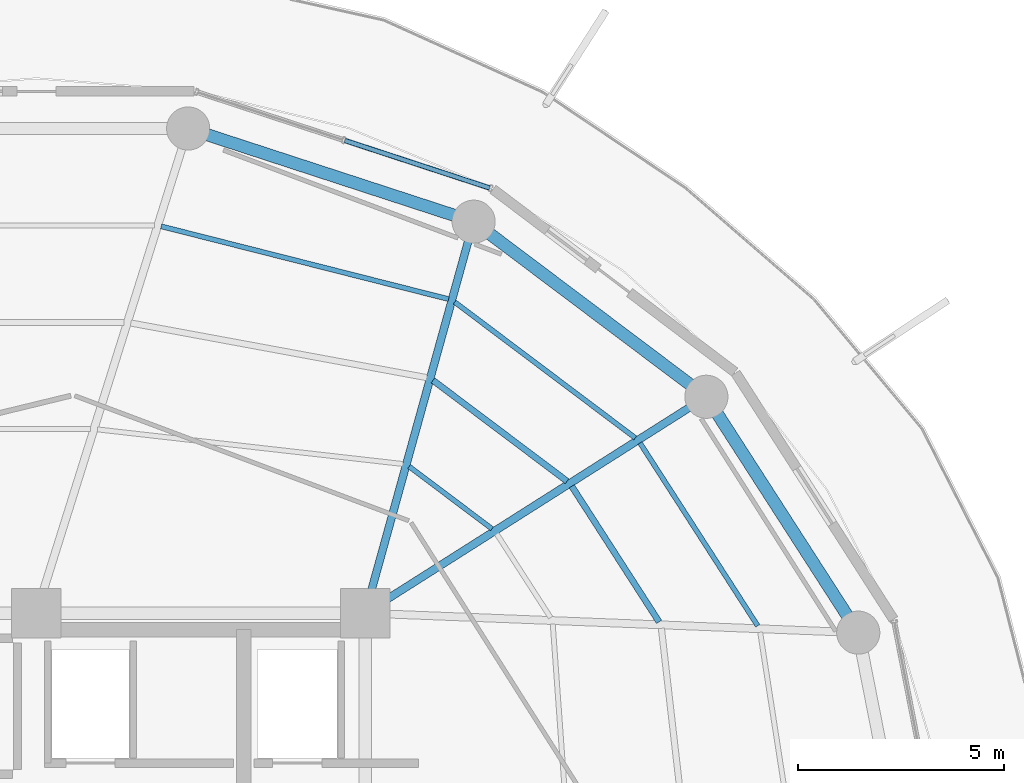
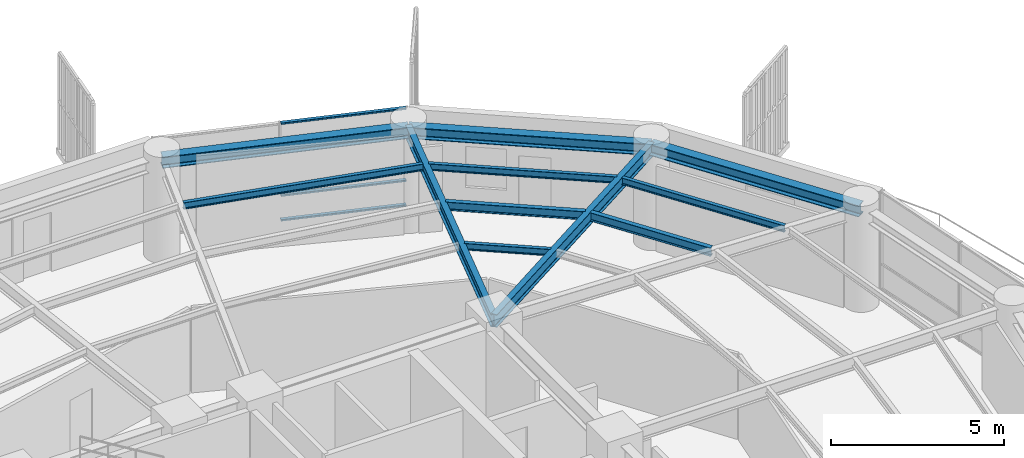
# One storey, part 20 of 30: 11 beams, 3 members, 1 element without a shape of its own.
"""IFC4 building model written with IfcOpenShell, lengths in metres."""

import ifcopenshell
import ifcopenshell.guid

model = None  # the IFC model being written
_history = None  # IfcOwnerHistory: only IFC2X3 demands one
_inside = {}  # id of a spatial element -> (the spatial element, [elements in it])
_under = {}  # id of a project, library or spatial element -> (it, [spatial elements below it])
_declared = {}  # id of a project -> (the project, [libraries it declares])
_typed = {}  # id of a type object -> (the type object, [elements of that type])
_made_of = {}  # id of a material, layer set ... -> (it, [elements and type objects made of it])


def new_model(schema):
    """Start an empty IFC model of exactly this schema.

    Asked for "IFC4X3", IfcOpenShell would pick the latest addendum, in which some entities
    have other attributes; the version numbers below select the first issue.
    IFC2X3 requires an IfcOwnerHistory on every rooted entity: one is made here for all.
    """
    global model, _history
    if schema == "IFC4X3":
        model = ifcopenshell.file(schema_version=(4, 3, 0, 0))
    else:
        model = ifcopenshell.file(schema=schema)
    _inside.clear()
    _under.clear()
    _declared.clear()
    _typed.clear()
    _made_of.clear()
    _history = None
    if model.schema == "IFC2X3":
        org = make("IfcOrganization", Name="unknown")
        user = make(
            "IfcPersonAndOrganization",
            ThePerson=make("IfcPerson", FamilyName="unknown"),
            TheOrganization=org,
        )
        app = make(
            "IfcApplication",
            ApplicationDeveloper=org,
            Version="unknown",
            ApplicationFullName="unknown",
            ApplicationIdentifier="unknown",
        )
        _history = make(
            "IfcOwnerHistory",
            OwningUser=user,
            OwningApplication=app,
            ChangeAction="ADDED",
            CreationDate=0,
        )
    return model


def make(cls, **values):
    """One entity of the class cls with the attributes given. An attribute that is None is left unset."""
    return model.create_entity(
        cls, **{name: value for name, value in values.items() if value is not None}
    )


def rooted(cls, **values):
    """An entity with a GlobalId (a new one), such as an element, a storey or a relation."""
    return make(cls, GlobalId=ifcopenshell.guid.new(), OwnerHistory=_history, **values)


def si_unit(unit_type, name, prefix=None):
    """IfcSIUnit, for example si_unit("LENGTHUNIT", "METRE", prefix="MILLI")."""
    return make("IfcSIUnit", UnitType=unit_type, Prefix=prefix, Name=name)


def assignment(units):
    """IfcUnitAssignment: the units of a project."""
    return None if units is None else make("IfcUnitAssignment", Units=units)


def point(xyz):
    """IfcCartesianPoint."""
    return None if xyz is None else make("IfcCartesianPoint", Coordinates=xyz)


def direction(xyz):
    """IfcDirection."""
    return None if xyz is None else make("IfcDirection", DirectionRatios=xyz)


def frame(location, z_axis=None, x_axis=None):
    """IfcAxis2Placement3D, a coordinate frame: its origin and axes. An axis left out is left unset."""
    return make(
        "IfcAxis2Placement3D",
        Location=point(location),
        Axis=direction(z_axis),
        RefDirection=direction(x_axis),
    )


def frame_2d(location, x_axis=None):
    """IfcAxis2Placement2D, a coordinate frame in the plane: its origin and x axis."""
    return make(
        "IfcAxis2Placement2D", Location=point(location), RefDirection=direction(x_axis)
    )


def origin():
    """The frame at (0, 0, 0) with its axes left unset."""
    return frame((0.0, 0.0, 0.0))


def origin_2d():
    """The frame at (0, 0) in the plane with its x axis left unset."""
    return frame_2d((0.0, 0.0))


def place(relative_to, where):
    """IfcLocalPlacement: puts the frame where relative to a parent placement (None: the world)."""
    return make(
        "IfcLocalPlacement", PlacementRelTo=relative_to, RelativePlacement=where
    )


def context(
    kind, dimensions, precision=None, world=None, true_north=None, identifier=None
):
    """IfcGeometricRepresentationContext, for example the 3D "Model" context."""
    return make(
        "IfcGeometricRepresentationContext",
        ContextIdentifier=identifier,
        ContextType=kind,
        CoordinateSpaceDimension=dimensions,
        Precision=precision,
        WorldCoordinateSystem=world,
        TrueNorth=true_north,
    )


def subcontext(parent, identifier, kind, view, scale=None):
    """IfcGeometricRepresentationSubContext, for example "Body" below "Model"."""
    return make(
        "IfcGeometricRepresentationSubContext",
        ContextIdentifier=identifier,
        ContextType=kind,
        ParentContext=parent,
        TargetScale=scale,
        TargetView=view,
    )


def project(units=None, contexts=None):
    """IfcProject with its units and contexts."""
    return rooted(
        "IfcProject",
        Name="project",
        RepresentationContexts=contexts,
        UnitsInContext=assignment(units),
    )


def spatial(cls, under=None, at=None, **own):
    """A site, building, storey or space (cls), placed at a placement, below another one or the project."""
    s = rooted(cls, ObjectPlacement=at, **own)
    if under is not None:
        _under.setdefault(under.id(), (under, []))[1].append(s)
    return s


def profile(cls, at=None, kind="AREA", **sizes):
    """A parametric profile (cls). Its sizes go by their IFC names, for example OverallWidth=200.0."""
    return make(cls, ProfileType=kind, Position=at, **sizes)


def hollow_rectangle(**sizes):
    """IfcRectangleHollowProfileDef."""
    return profile("IfcRectangleHollowProfileDef", **sizes)


def i_section(**sizes):
    """IfcIShapeProfileDef."""
    return profile("IfcIShapeProfileDef", **sizes)


def extrude(swept, where, along, depth):
    """IfcExtrudedAreaSolid: the profile swept, set in the frame where, extruded along a direction by depth."""
    return make(
        "IfcExtrudedAreaSolid",
        SweptArea=swept,
        Position=where,
        ExtrudedDirection=direction(along),
        Depth=depth,
    )


def shape(context_of_items, identifier, shape_type, items):
    """IfcShapeRepresentation: the items that make up one representation, for example the "Body"."""
    return make(
        "IfcShapeRepresentation",
        ContextOfItems=context_of_items,
        RepresentationIdentifier=identifier,
        RepresentationType=shape_type,
        Items=items,
    )


def material(Name=None, Category=None):
    """IfcMaterial."""
    return make("IfcMaterial", Name=Name, Category=Category)


def layer(
    of_material, thickness, ventilated=None, Name=None, Category=None, Priority=None
):
    """IfcMaterialLayer: one layer of a wall or slab, of a material (None: an air gap)."""
    return make(
        "IfcMaterialLayer",
        Material=of_material,
        LayerThickness=thickness,
        IsVentilated=ventilated,
        Name=Name,
        Category=Category,
        Priority=Priority,
    )


def layer_set(layers, Name=None):
    """IfcMaterialLayerSet."""
    return make("IfcMaterialLayerSet", MaterialLayers=layers, LayerSetName=Name)


def material_profile(
    of_material, cross_section, Name=None, Category=None, Priority=None
):
    """IfcMaterialProfile: a cross section and its material."""
    return make(
        "IfcMaterialProfile",
        Name=Name,
        Material=of_material,
        Profile=cross_section,
        Priority=Priority,
        Category=Category,
    )


def profile_set(profiles, Name=None, composite=None):
    """IfcMaterialProfileSet."""
    return make(
        "IfcMaterialProfileSet",
        Name=Name,
        MaterialProfiles=profiles,
        CompositeProfile=composite,
    )


def made_of(thing, what):
    """Note that an element or type object is made of a material, layer set ...; save() writes the relation."""
    if what is not None:
        _made_of.setdefault(what.id(), (what, []))[1].append(thing)
    return thing


def type_object(cls, material=None, **own):
    """A type object (cls), such as IfcWallType, which elements share."""
    return made_of(rooted(cls, **own), material)


def element(
    cls,
    number,
    at=None,
    inside=None,
    cuts=None,
    type_object=None,
    material=None,
    context=None,
    identifier="Body",
    shape_type=None,
    held_by="IfcProductDefinitionShape",
    body=None,
    shapes=None,
    **own,
):
    """One element of the class cls, such as IfcWall. Its Tag is "e" and its number.

    at: its placement. inside: the storey or other place that contains it. cuts: it is an
    opening in that element (IfcRelVoidsElement). A single representation is given by context,
    identifier, shape_type and body (its items); several are given by shapes. held_by: the class
    of the entity that holds the representations. save() writes the other relations.
    """
    e = rooted(cls, Tag="e%d" % number, ObjectPlacement=at, **own)
    if body is not None:
        shapes = [shape(context, identifier, shape_type, body)]
    if shapes is not None:
        e.Representation = make(held_by, Representations=shapes)
    if inside is not None:
        _inside.setdefault(inside.id(), (inside, []))[1].append(e)
    if cuts is not None:
        rooted(
            "IfcRelVoidsElement", RelatingBuildingElement=cuts, RelatedOpeningElement=e
        )
    if type_object is not None:
        _typed.setdefault(type_object.id(), (type_object, []))[1].append(e)
    return made_of(e, material)


def aggregate(whole, parts):
    """IfcRelAggregates: a whole, such as a stair, and the parts it consists of."""
    return rooted("IfcRelAggregates", RelatingObject=whole, RelatedObjects=parts)


def save(model, path):
    """Write the relations noted so far, then the file.

    IfcRelAggregates (storeys below a building ...), IfcRelContainedInSpatialStructure (elements
    in a storey), IfcRelDefinesByType, IfcRelAssociatesMaterial and IfcRelDeclares: one each for
    every whole, place, type object, material and project.
    """
    for whole, parts in _under.values():
        aggregate(whole, parts)
    for where, things in _inside.values():
        rooted(
            "IfcRelContainedInSpatialStructure",
            RelatedElements=things,
            RelatingStructure=where,
        )
    for kind, things in _typed.values():
        rooted("IfcRelDefinesByType", RelatedObjects=things, RelatingType=kind)
    for what, things in _made_of.values():
        rooted("IfcRelAssociatesMaterial", RelatedObjects=things, RelatingMaterial=what)
    for by, libraries in _declared.values():
        rooted("IfcRelDeclares", RelatingContext=by, RelatedDefinitions=libraries)
    model.write(path)


model = new_model("IFC4")

# Units and contexts
model_context = context("Model", 3, precision=1e-05, world=origin(), true_north=direction((0.0, 1.0)))
body_context = subcontext(model_context, "Body", "Model", "MODEL_VIEW")
ifc_project = project(units=[si_unit("LENGTHUNIT", "METRE"), si_unit("AREAUNIT", "SQUARE_METRE"), si_unit("VOLUMEUNIT", "CUBIC_METRE"), si_unit("PLANEANGLEUNIT", "RADIAN"), si_unit("MASSUNIT", "GRAM", prefix="KILO")], contexts=[model_context])

# Site, building, storey
site_placement = place(None, origin())
site = spatial("IfcSite", under=ifc_project, at=site_placement, CompositionType="ELEMENT")
building_placement = place(site_placement, origin())
building = spatial("IfcBuilding", under=site, at=building_placement, Name="Kelanora Arch Commons", CompositionType="ELEMENT")
storey_placement = place(building_placement, frame((0.0, 0.0, 208.199951171875)))
storey = spatial("IfcBuildingStorey", under=building, at=storey_placement, Name="L53", CompositionType="ELEMENT", Elevation=208.199951171875)

# Beams
ifc_material_1 = material(Name="Steel S355", Category="steel")
ifc_material_profile_1 = material_profile(ifc_material_1, i_section(OverallWidth=0.14990234375, OverallDepth=0.300048828125, WebThickness=0.007080078125, FlangeThickness=0.0107421875, FilletRadius=0.014892578125, at=origin_2d()), Name="IPE300")
ifc_profile_set_1 = profile_set([ifc_material_profile_1], Name="Steel S355")
beam_type_1 = type_object("IfcBeamType", Name="BM-JST-01", PredefinedType="JOIST", material=ifc_profile_set_1)
beam_1_placement = place(storey_placement, frame((89.152099609375, 64.786865234375, 3.340087890625), z_axis=(-0.541411265892, 0.840757896879, 0.0), x_axis=(-0.840757896879, -0.541411265892, 0.0)))
element("IfcBeam", 1, at=beam_1_placement, inside=storey, type_object=beam_type_1, Name="Secondary Chord Joist BJB-02 L53", PredefinedType="JOIST", context=body_context, shape_type="SweptSolid", body=[
    extrude(i_section(OverallWidth=0.14990234375, OverallDepth=0.300048828125, WebThickness=0.007080078125, FlangeThickness=0.0107421875, FilletRadius=0.014892578125, at=origin_2d()), origin(), (0.0, 0.0, 1.0), 3.92529296875),
])
beam_2_placement = place(storey_placement, frame((86.912841796875, 68.209716796875, 3.340087890625), z_axis=(-0.799101708656, 0.601195857624, 0.0), x_axis=(-0.601195857624, -0.799101708656, 0.0)))
element("IfcBeam", 2, at=beam_2_placement, inside=storey, type_object=beam_type_1, Name="Secondary Chord Joist BJB-04 L53", PredefinedType="JOIST", context=body_context, shape_type="SweptSolid", body=[
    extrude(i_section(OverallWidth=0.14990234375, OverallDepth=0.300048828125, WebThickness=0.007080078125, FlangeThickness=0.0107421875, FilletRadius=0.014892578125, at=origin_2d()), origin(), (0.0, 0.0, 1.0), 4.080810546875),
])
ifc_material_profile_2 = material_profile(ifc_material_1, i_section(OverallWidth=0.1201171875, OverallDepth=0.239990234375, WebThickness=0.006103515625, FlangeThickness=0.009765625, FilletRadius=0.014892578125, at=origin_2d()), Name="IPE240")
ifc_profile_set_2 = profile_set([ifc_material_profile_2], Name="Steel S355")
beam_type_2 = type_object("IfcBeamType", Name="BM-JST-02", PredefinedType="JOIST", material=ifc_profile_set_2)
beam_3_placement = place(storey_placement, frame((91.55126953125, 64.69189453125, 3.3701171875), z_axis=(-0.541382492679, 0.840776424872, 0.0), x_axis=(-0.840776424872, -0.541382492679, 0.0)))
element("IfcBeam", 3, at=beam_3_placement, inside=storey, type_object=beam_type_2, Name="Secondary Chord Joist BJC-02 L53", PredefinedType="JOIST", context=body_context, shape_type="SweptSolid", body=[
    extrude(i_section(OverallWidth=0.1201171875, OverallDepth=0.239990234375, WebThickness=0.006103515625, FlangeThickness=0.009765625, FilletRadius=0.014892578125, at=origin_2d()), origin(), (0.0, 0.0, 1.0), 5.29052734375),
])
beam_4_placement = place(storey_placement, frame((85.086669921875, 67.051513671875, 3.3701171875), z_axis=(-0.79911638933, 0.601176343766, 0.0), x_axis=(-0.601176343766, -0.79911638933, 0.0)))
element("IfcBeam", 4, at=beam_4_placement, inside=storey, type_object=beam_type_2, Name="Secondary Chord Joist BJA-04 L53", PredefinedType="JOIST", context=body_context, shape_type="SweptSolid", body=[
    extrude(i_section(OverallWidth=0.1201171875, OverallDepth=0.239990234375, WebThickness=0.006103515625, FlangeThickness=0.009765625, FilletRadius=0.014892578125, at=origin_2d()), origin(), (0.0, 0.0, 1.0), 2.522216796875),
])
beam_5_placement = place(storey_placement, frame((88.5732421875, 69.2626953125, 3.3701171875), z_axis=(-0.799109197935, 0.601185902842, 0.0), x_axis=(-0.601185902842, -0.799109197935, 0.0)))
element("IfcBeam", 5, at=beam_5_placement, inside=storey, type_object=beam_type_2, Name="Secondary Chord Joist BJC-04 L53", PredefinedType="JOIST", context=body_context, shape_type="SweptSolid", body=[
    extrude(i_section(OverallWidth=0.1201171875, OverallDepth=0.239990234375, WebThickness=0.006103515625, FlangeThickness=0.009765625, FilletRadius=0.014892578125, at=origin_2d()), origin(), (0.0, 0.0, 1.0), 5.497802734375),
])
beam_6_placement = place(storey_placement, frame((84.029541015625, 72.639892578125, 3.3701171875), z_axis=(-0.969370989998, 0.245601066263, 0.0), x_axis=(-0.245601066263, -0.969370989998, 0.0)))
element("IfcBeam", 6, at=beam_6_placement, inside=storey, type_object=beam_type_2, Name="Secondary Chord Joist BJC-06 L53", PredefinedType="JOIST", context=body_context, shape_type="SweptSolid", body=[
    extrude(i_section(OverallWidth=0.1201171875, OverallDepth=0.239990234375, WebThickness=0.006103515625, FlangeThickness=0.009765625, FilletRadius=0.014892578125, at=origin_2d()), origin(), (0.0, 0.0, 1.0), 7.2119140625),
])
ifc_material_profile_3 = material_profile(ifc_material_1, i_section(OverallWidth=0.18994140625, OverallDepth=0.449951171875, WebThickness=0.009521484375, FlangeThickness=0.0146484375, FilletRadius=0.02099609375, at=origin_2d()), Name="IPE450")
ifc_profile_set_3 = profile_set([ifc_material_profile_3], Name="Steel S355")
beam_type_3 = type_object("IfcBeamType", Name="BM-RAD-Z4", PredefinedType="BEAM", material=ifc_profile_set_3)
beam_7_placement = place(storey_placement, frame((82.0, 65.0, 3.26513671875), z_axis=(0.844507208607, 0.535544185489, 0.0), x_axis=(-0.535544185489, 0.844507208607, 0.0)))
element("IfcBeam", 7, at=beam_7_placement, inside=storey, type_object=beam_type_3, Name="Radial Floor Girder BR-04 L53", PredefinedType="BEAM", context=body_context, shape_type="SweptSolid", body=[
    extrude(i_section(OverallWidth=0.18994140625, OverallDepth=0.449951171875, WebThickness=0.009521484375, FlangeThickness=0.0146484375, FilletRadius=0.02099609375, at=origin_2d()), origin(), (0.0, 0.0, 1.0), 9.830078125),
])
beam_8_placement = place(storey_placement, frame((82.0, 65.0, 3.26513671875), z_axis=(0.267120164296, 0.963663228429, 0.0), x_axis=(-0.963663228429, 0.267120164296, 0.0)))
element("IfcBeam", 8, at=beam_8_placement, inside=storey, type_object=beam_type_3, Name="Radial Floor Girder BR-06 L53", PredefinedType="BEAM", context=body_context, shape_type="SweptSolid", body=[
    extrude(i_section(OverallWidth=0.18994140625, OverallDepth=0.449951171875, WebThickness=0.009521484375, FlangeThickness=0.0146484375, FilletRadius=0.02099609375, at=origin_2d()), origin(), (0.0, 0.0, 1.0), 9.8828125),
])
ifc_material_profile_4 = material_profile(ifc_material_1, i_section(OverallWidth=0.300048828125, OverallDepth=0.39990234375, WebThickness=0.013427734375, FlangeThickness=0.02392578125, FilletRadius=0.027099609375, at=origin_2d()), Name="HEB400")
ifc_profile_set_4 = profile_set([ifc_material_profile_4], Name="Steel S355")
beam_type_4 = type_object("IfcBeamType", Name="BM-SPN-Z4", PredefinedType="SPANDREL", material=ifc_profile_set_4)
beam_9_placement = place(storey_placement, frame((93.99658203125, 64.525634765625, 3.2900390625), z_axis=(-0.541364878868, 0.840787766281, 0.0), x_axis=(-0.840787766281, -0.541364878868, 0.0)))
element("IfcBeam", 9, at=beam_9_placement, inside=storey, type_object=beam_type_4, Name="Perimeter Spandrel Beam BS-02 L53", PredefinedType="SPANDREL", context=body_context, shape_type="SweptSolid", body=[
    extrude(i_section(OverallWidth=0.300048828125, OverallDepth=0.39990234375, WebThickness=0.013427734375, FlangeThickness=0.02392578125, FilletRadius=0.027099609375, at=origin_2d()), origin(), (0.0, 0.0, 1.0), 6.825439453125),
])
beam_10_placement = place(storey_placement, frame((90.301513671875, 70.264404296875, 3.2900390625), z_axis=(-0.799114211715, 0.60117923836, 0.0), x_axis=(-0.60117923836, -0.799114211715, 0.0)))
element("IfcBeam", 10, at=beam_10_placement, inside=storey, type_object=beam_type_4, Name="Perimeter Spandrel Beam BS-04 L53", PredefinedType="SPANDREL", context=body_context, shape_type="SweptSolid", body=[
    extrude(i_section(OverallWidth=0.300048828125, OverallDepth=0.39990234375, WebThickness=0.013427734375, FlangeThickness=0.02392578125, FilletRadius=0.027099609375, at=origin_2d()), origin(), (0.0, 0.0, 1.0), 7.0849609375),
])
beam_11_placement = place(storey_placement, frame((84.639892578125, 74.523681640625, 3.2900390625), z_axis=(-0.950656361143, 0.310245842872, 0.0), x_axis=(-0.310245842872, -0.950656361143, 0.0)))
element("IfcBeam", 11, at=beam_11_placement, inside=storey, type_object=beam_type_4, Name="Perimeter Spandrel Beam BS-06 L53", PredefinedType="SPANDREL", context=body_context, shape_type="SweptSolid", body=[
    extrude(i_section(OverallWidth=0.300048828125, OverallDepth=0.39990234375, WebThickness=0.013427734375, FlangeThickness=0.02392578125, FilletRadius=0.027099609375, at=origin_2d()), origin(), (0.0, 0.0, 1.0), 7.304931640625),
])

# Curtain wall, members
ifc_material_2 = material(Name="Terracotta ceramic-fritted low-E glass and aluminium", Category="masonry")
ifc_layer = layer(ifc_material_2, 0.175048828125)
ifc_layer_set = layer_set([ifc_layer], Name="Terracotta ceramic-fritted low-E glass and aluminium")
curtain_wall_type = type_object("IfcCurtainWallType", Name="CW-SYS-02", PredefinedType="NOTDEFINED", material=ifc_layer_set)
curtain_wall_placement = place(storey_placement, origin())
curtain_wall = element("IfcCurtainWall", 12, at=curtain_wall_placement, inside=storey, type_object=curtain_wall_type, Name="Unitised Curtain Wall L53-B03", PredefinedType="NOTDEFINED")
ifc_material_3 = material(Name="Powder-coated aluminium terracotta", Category="masonry")
ifc_material_profile_5 = material_profile(ifc_material_3, hollow_rectangle(XDim=0.1201171875, YDim=0.06005859375, WallThickness=0.0048828125, InnerFilletRadius=0.0048828125, OuterFilletRadius=0.010009765625, at=origin_2d()), Name="CWT120x60")
ifc_profile_set_5 = profile_set([ifc_material_profile_5], Name="Powder-coated aluminium terracotta")
member_type = type_object("IfcMemberType", Name="CWT-STD", PredefinedType="USERDEFINED", material=ifc_profile_set_5)
member_1_placement = place(storey_placement, frame((85.02880859375, 75.343994140625, 0.030029296875), z_axis=(-0.950226025222, 0.311561392011, 0.0), x_axis=(-0.311561392011, -0.950226025222, 0.0)))
member_1 = element("IfcMember", 13, at=member_1_placement, type_object=member_type, Name="CW-02 transom 1.1", ObjectType="TRANSOM", PredefinedType="USERDEFINED", context=body_context, shape_type="SweptSolid", body=[
    extrude(hollow_rectangle(XDim=0.1201171875, YDim=0.06005859375, WallThickness=0.0048828125, InnerFilletRadius=0.0048828125, OuterFilletRadius=0.010009765625, at=origin_2d()), origin(), (0.0, 0.0, 1.0), 3.707275390625),
])
member_2_placement = place(storey_placement, frame((85.02880859375, 75.343994140625, 0.900146484375), z_axis=(-0.950226025222, 0.311561392011, 0.0), x_axis=(-0.311561392011, -0.950226025222, 0.0)))
member_2 = element("IfcMember", 14, at=member_2_placement, type_object=member_type, Name="CW-02 transom 1.2", ObjectType="TRANSOM", PredefinedType="USERDEFINED", context=body_context, shape_type="SweptSolid", body=[
    extrude(hollow_rectangle(XDim=0.1201171875, YDim=0.06005859375, WallThickness=0.0048828125, InnerFilletRadius=0.0048828125, OuterFilletRadius=0.010009765625, at=origin_2d()), origin(), (0.0, 0.0, 1.0), 3.707275390625),
])
member_3_placement = place(storey_placement, frame((85.02880859375, 75.343994140625, 3.445068359375), z_axis=(-0.950226025222, 0.311561392011, 0.0), x_axis=(-0.311561392011, -0.950226025222, 0.0)))
member_3 = element("IfcMember", 15, at=member_3_placement, type_object=member_type, Name="CW-02 transom 1.3", ObjectType="TRANSOM", PredefinedType="USERDEFINED", context=body_context, shape_type="SweptSolid", body=[
    extrude(hollow_rectangle(XDim=0.1201171875, YDim=0.06005859375, WallThickness=0.0048828125, InnerFilletRadius=0.0048828125, OuterFilletRadius=0.010009765625, at=origin_2d()), origin(), (0.0, 0.0, 1.0), 3.707275390625),
])
aggregate(curtain_wall, [member_1, member_2, member_3])

save(model, "model.ifc")
